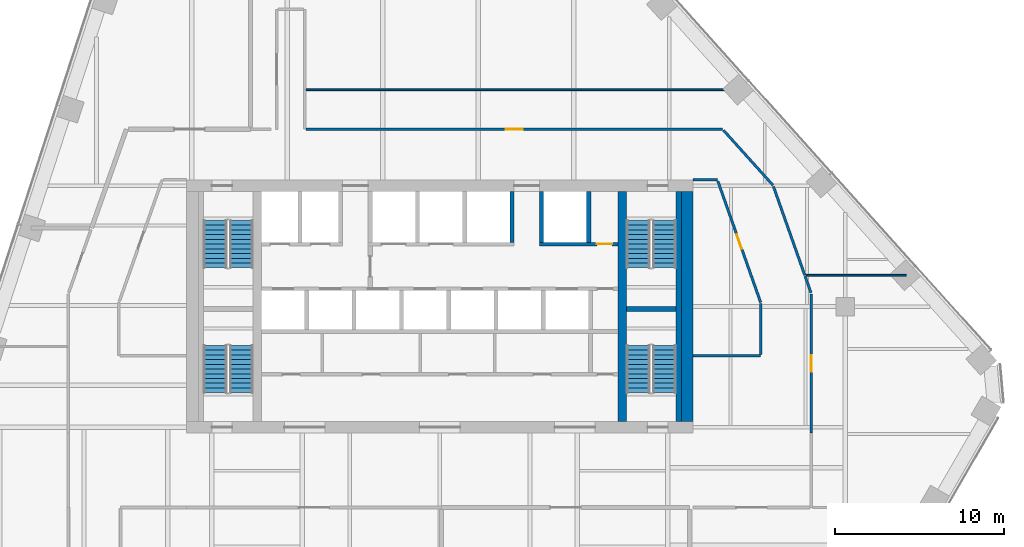
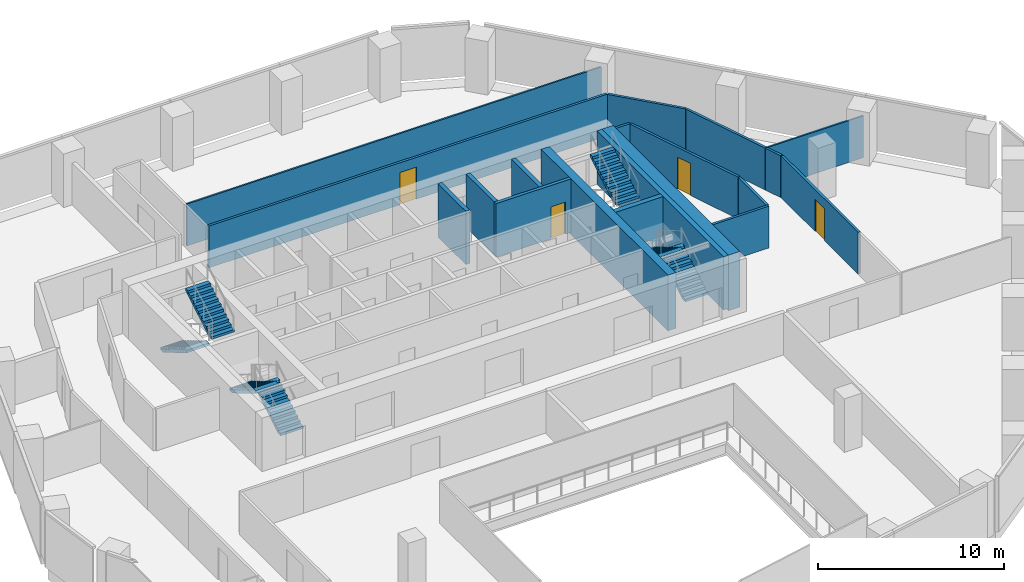
# One storey, part 13 of 16: 19 walls, 8 stair flights, 4 doors, 4 openings, 4 elements without a shape of their own.
"""IFC4 building model written with IfcOpenShell, lengths in metres."""

from ifc_helpers import new_model, si_unit, direction, frame, frame_2d, origin, place, context, subcontext, project, spatial, polyline, rectangle, outline, extrude, material, layer, layer_set, type_object, element, fill, aggregate, save


model = new_model("IFC4")

# Units and contexts
model_context = context("Model", 3, precision=1e-05, world=origin(), true_north=direction((0.0, 1.0)))
body_context = subcontext(model_context, "Body", "Model", "MODEL_VIEW")
ifc_project = project(units=[si_unit("LENGTHUNIT", "METRE"), si_unit("AREAUNIT", "SQUARE_METRE"), si_unit("VOLUMEUNIT", "CUBIC_METRE"), si_unit("PLANEANGLEUNIT", "RADIAN"), si_unit("MASSUNIT", "GRAM", prefix="KILO")], contexts=[model_context])

# Site, building, storey
site_placement = place(None, origin())
site = spatial("IfcSite", under=ifc_project, at=site_placement, CompositionType="ELEMENT")
building_placement = place(site_placement, origin())
building = spatial("IfcBuilding", under=site, at=building_placement, Name="Isthmus Gate Tower", CompositionType="ELEMENT")
storey_placement = place(building_placement, frame((0.0, 0.0, 185.39990234375)))
storey = spatial("IfcBuildingStorey", under=building, at=storey_placement, Name="L46", CompositionType="ELEMENT", Elevation=185.39990234375)

# Wall
ifc_material_1 = material(Name="Gypsum board on steel studs, fire-rated", Category="steel")
ifc_layer_1 = layer(ifc_material_1, 0.14990234375)
ifc_layer_set_1 = layer_set([ifc_layer_1], Name="CORRIDOR WALL 150 60 MIN")
wall_type_1 = type_object("IfcWallType", Name="CORRIDOR WALL 150 60 MIN", PredefinedType="PARTITIONING", material=ifc_layer_set_1)
wall_1_placement = place(storey_placement, frame((16.43896484375, 15.0, 0.0), z_axis=(0.0, 0.0, 1.0), x_axis=(-1.0, 0.0, 0.0)))
element("IfcWall", 1, at=wall_1_placement, inside=storey, type_object=wall_type_1, Name="L46 Corridor Wall 150 60 Min", PredefinedType="PARTITIONING", context=body_context, shape_type="SweptSolid", body=[
    extrude(rectangle(XDim=1.43896484375, YDim=0.14990234375, at=frame_2d((0.719482421875, 0.0))), origin(), (0.0, 0.0, 1.0), 2.7412109375),
])

# Wall, opening, door
wall_2_placement = place(storey_placement, frame((19.0, 7.742919921875, 0.0), z_axis=(0.0, 0.0, 1.0), x_axis=(-0.332768168026, 0.943008667165, 0.0)))
wall_2 = element("IfcWall", 2, at=wall_2_placement, inside=storey, type_object=wall_type_1, Name="L46 Corridor Wall 150 60 Min", PredefinedType="PARTITIONING", context=body_context, shape_type="SweptSolid", body=[
    extrude(rectangle(XDim=7.62060546875, YDim=0.14990234375, at=frame_2d((3.810302734375, 0.0))), origin(), (0.0, 0.0, 1.0), 2.7412109375),
])
opening_1_placement = place(wall_2_placement, frame((3.3603515625, 0.0, 0.0)))
opening_1 = element("IfcOpeningElement", 3, at=opening_1_placement, cuts=wall_2, Name="Opening DT-T4B-05", PredefinedType="OPENING", context=body_context, shape_type="SweptSolid", body=[
    extrude(rectangle(XDim=0.89990234375, YDim=2.10009765625, at=frame_2d((0.449951171875, 1.050048828125))), frame((0.0, 0.0849609375, 0.0), z_axis=(0.0, -1.0, 0.0), x_axis=(1.0, 0.0, 0.0)), (0.0, 0.0, 1.0), 0.169921875),
])
ifc_material_2 = material(Name="Solid core timber door leaf, fire-rated", Category="wood")
door_type_1 = type_object("IfcDoorType", Name="FIRE DOOR ROOM 900 X 2100 60 MIN", OperationType="SINGLE_SWING_LEFT", PredefinedType="DOOR", material=ifc_material_2)
door_1_placement = place(opening_1_placement, origin())
door_1 = element("IfcDoor", 4, at=door_1_placement, inside=storey, type_object=door_type_1, Name="L46 room door", OperationType="SINGLE_SWING_RIGHT", OverallHeight=2.10009765625, OverallWidth=0.89990234375, PredefinedType="DOOR", context=body_context, shape_type="SweptSolid", body=[
    extrude(rectangle(XDim=0.89990234375, YDim=2.10009765625, at=frame_2d((0.449951171875, 1.050048828125))), frame((0.0, 0.02490234375, 0.0), z_axis=(0.0, -1.0, 0.0), x_axis=(1.0, 0.0, 0.0)), (0.0, 0.0, 1.0), 0.050048828125),
])
fill(opening_1, door_1)

wall_3_placement = place(storey_placement, frame((22.0, 8.257080078125, 0.0), z_axis=(0.0, 0.0, 1.0), x_axis=(0.0, -1.0, 0.0)))
wall_3 = element("IfcWall", 5, at=wall_3_placement, inside=storey, type_object=wall_type_1, Name="L46 Corridor Wall 150 60 Min", PredefinedType="PARTITIONING", context=body_context, shape_type="SweptSolid", body=[
    extrude(rectangle(XDim=8.257080078125, YDim=0.14990234375, at=frame_2d((4.12841796875, 0.0))), origin(), (0.0, 0.0, 1.0), 2.7412109375),
])
opening_2_placement = place(wall_3_placement, frame((3.62841796875, 0.0, 0.0)))
opening_2 = element("IfcOpeningElement", 6, at=opening_2_placement, cuts=wall_3, Name="Opening DT-T4B-08", PredefinedType="OPENING", context=body_context, shape_type="SweptSolid", body=[
    extrude(rectangle(XDim=1.0, YDim=2.10009765625, at=frame_2d((0.5, 1.050048828125))), frame((0.0, 0.0849609375, 0.0), z_axis=(0.0, -1.0, 0.0), x_axis=(1.0, 0.0, 0.0)), (0.0, 0.0, 1.0), 0.169921875),
])
ifc_material_3 = material(Name="Solid core timber door leaf, fire-rated", Category="wood")
door_type_2 = type_object("IfcDoorType", Name="FIRE DOOR ROOM 1000 X 2100 60 MIN", OperationType="SINGLE_SWING_LEFT", PredefinedType="DOOR", material=ifc_material_3)
door_2_placement = place(opening_2_placement, origin())
door_2 = element("IfcDoor", 7, at=door_2_placement, inside=storey, type_object=door_type_2, Name="L46 room door", OperationType="SINGLE_SWING_RIGHT", OverallHeight=2.10009765625, OverallWidth=1.0, PredefinedType="DOOR", context=body_context, shape_type="SweptSolid", body=[
    extrude(rectangle(XDim=1.0, YDim=2.10009765625, at=frame_2d((0.5, 1.050048828125))), frame((0.0, 0.02490234375, 0.0), z_axis=(0.0, -1.0, 0.0), x_axis=(1.0, 0.0, 0.0)), (0.0, 0.0, 1.0), 0.050048828125),
])
fill(opening_2, door_2)

wall_4_placement = place(storey_placement, frame((-7.925048828125, 18.0, 0.0), z_axis=(0.0, 0.0, 1.0), x_axis=(1.0, 0.0, 0.0)))
wall_4 = element("IfcWall", 8, at=wall_4_placement, inside=storey, type_object=wall_type_1, Name="L46 Corridor Wall 150 60 Min", PredefinedType="PARTITIONING", context=body_context, shape_type="SweptSolid", body=[
    extrude(rectangle(XDim=24.670166015625, YDim=0.14990234375, at=frame_2d((12.3349609375, 0.0))), origin(), (0.0, 0.0, 1.0), 2.7412109375),
])
opening_3_placement = place(wall_4_placement, frame((11.8349609375, 0.0, 0.0)))
opening_3 = element("IfcOpeningElement", 9, at=opening_3_placement, cuts=wall_4, Name="Opening DT-T4B-03", PredefinedType="OPENING", context=body_context, shape_type="SweptSolid", body=[
    extrude(rectangle(XDim=1.0, YDim=2.10009765625, at=frame_2d((0.5, 1.050048828125))), frame((0.0, 0.0849609375, 0.0), z_axis=(0.0, -1.0, 0.0), x_axis=(1.0, 0.0, 0.0)), (0.0, 0.0, 1.0), 0.169921875),
])
door_3_placement = place(opening_3_placement, origin())
door_3 = element("IfcDoor", 10, at=door_3_placement, inside=storey, type_object=door_type_2, Name="L46 room door", OperationType="SINGLE_SWING_RIGHT", OverallHeight=2.10009765625, OverallWidth=1.0, PredefinedType="DOOR", context=body_context, shape_type="SweptSolid", body=[
    extrude(rectangle(XDim=1.0, YDim=2.10009765625, at=frame_2d((0.5, 1.050048828125))), frame((0.0, 0.02490234375, 0.0), z_axis=(0.0, -1.0, 0.0), x_axis=(1.0, 0.0, 0.0)), (0.0, 0.0, 1.0), 0.050048828125),
])
fill(opening_3, door_3)

# Walls
wall_5_placement = place(storey_placement, frame((16.795166015625, 17.9443359375, 0.0), z_axis=(0.0, 0.0, 1.0), x_axis=(0.66903540409, -0.743230534945, 0.0)))
element("IfcWall", 11, at=wall_5_placement, inside=storey, type_object=wall_type_1, Name="L46 Corridor Wall 150 60 Min", PredefinedType="PARTITIONING", context=body_context, shape_type="SweptSolid", body=[
    extrude(rectangle(XDim=4.3896484375, YDim=0.14990234375, at=frame_2d((2.19482421875, 0.0))), origin(), (0.0, 0.0, 1.0), 2.7412109375),
])
wall_6_placement = place(storey_placement, frame((19.757080078125, 14.611328125, 0.0), z_axis=(0.0, 0.0, 1.0), x_axis=(0.332898037941, -0.942962828713, 0.0)))
element("IfcWall", 12, at=wall_6_placement, inside=storey, type_object=wall_type_1, Name="L46 Corridor Wall 150 60 Min", PredefinedType="PARTITIONING", context=body_context, shape_type="SweptSolid", body=[
    extrude(rectangle(XDim=5.572265625, YDim=0.14990234375, at=frame_2d((2.7861328125, 0.0))), origin(), (0.0, 0.0, 1.0), 2.7412109375),
])
wall_7_placement = place(storey_placement, frame((15.0, 4.60009765625, 0.0), z_axis=(0.0, 0.0, 1.0), x_axis=(1.0, 0.0, 0.0)))
element("IfcWall", 13, at=wall_7_placement, inside=storey, type_object=wall_type_1, Name="L46 Corridor Wall 150 60 Min", PredefinedType="PARTITIONING", context=body_context, shape_type="SweptSolid", body=[
    extrude(rectangle(XDim=4.0, YDim=0.14990234375, at=frame_2d((2.0, 0.0))), origin(), (0.0, 0.0, 1.0), 2.7412109375),
])
wall_8_placement = place(storey_placement, frame((19.0, 4.675048828125, 0.0), z_axis=(0.0, 0.0, 1.0), x_axis=(0.0, 1.0, 0.0)))
element("IfcWall", 14, at=wall_8_placement, inside=storey, type_object=wall_type_1, Name="L46 Corridor Wall 150 60 Min", PredefinedType="PARTITIONING", context=body_context, shape_type="SweptSolid", body=[
    extrude(rectangle(XDim=2.992919921875, YDim=0.14990234375, at=frame_2d((1.49658203125, 0.0))), origin(), (0.0, 0.0, 1.0), 2.7412109375),
])
wall_9_placement = place(storey_placement, frame((21.628662109375, 9.309814453125, 0.0), z_axis=(0.0, 0.0, 1.0), x_axis=(0.33263618507, -0.943055230823, 0.0)))
element("IfcWall", 15, at=wall_9_placement, inside=storey, type_object=wall_type_1, Name="L46 Corridor Wall 150 60 Min", PredefinedType="PARTITIONING", context=body_context, shape_type="SweptSolid", body=[
    extrude(rectangle(XDim=1.04150390625, YDim=0.14990234375, at=frame_2d((0.520751953125, 0.0))), origin(), (0.0, 0.0, 1.0), 2.7412109375),
])
ifc_material_4 = material(Name="Concrete f'c 60 MPa", Category="concrete")
ifc_layer_2 = layer(ifc_material_4, 0.5)
ifc_layer_set_2 = layer_set([ifc_layer_2], Name="RC CORE SPINE WALL 500 F'C 60")
wall_type_2 = type_object("IfcWallType", Name="RC CORE SPINE WALL 500 F'C 60", PredefinedType="SOLIDWALL", material=ifc_layer_set_2)
wall_10_placement = place(storey_placement, frame((10.800048828125, 0.699951171875, -0.14990234375), z_axis=(0.0, 0.0, 1.0), x_axis=(0.0, 1.0, 0.0)))
element("IfcWall", 16, at=wall_10_placement, inside=storey, type_object=wall_type_2, Name="str-corewall-L46-SPE", PredefinedType="SOLIDWALL", context=body_context, shape_type="SweptSolid", body=[
    extrude(rectangle(XDim=13.60009765625, YDim=0.5, at=frame_2d((6.800048828125, 0.0))), origin(), (0.0, 0.0, 1.0), 3.64990234375),
])
ifc_material_5 = material(Name="Concrete f'c 60 MPa", Category="concrete")
ifc_layer_3 = layer(ifc_material_5, 0.699951171875)
ifc_layer_set_3 = layer_set([ifc_layer_3], Name="RC CORE WALL 700 F'C 60")
wall_type_3 = type_object("IfcWallType", Name="RC CORE WALL 700 F'C 60", PredefinedType="SOLIDWALL", material=ifc_layer_set_3)
wall_11_placement = place(storey_placement, frame((14.64990234375, 0.699951171875, -0.14990234375), z_axis=(0.0, 0.0, 1.0), x_axis=(0.0, 1.0, 0.0)))
element("IfcWall", 17, at=wall_11_placement, inside=storey, type_object=wall_type_3, Name="str-corewall-L46-E", PredefinedType="SOLIDWALL", context=body_context, shape_type="SweptSolid", body=[
    extrude(rectangle(XDim=13.60009765625, YDim=0.699951171875, at=frame_2d((6.800048828125, 0.0))), origin(), (0.0, 0.0, 1.0), 3.64990234375),
])
ifc_material_6 = material(Name="Gypsum board on steel studs, fire-rated", Category="steel")
ifc_layer_4 = layer(ifc_material_6, 0.10009765625)
ifc_layer_set_4 = layer_set([ifc_layer_4], Name="ROOM PARTITION 100 30 MIN")
wall_type_4 = type_object("IfcWallType", Name="ROOM PARTITION 100 30 MIN", PredefinedType="PARTITIONING", material=ifc_layer_set_4)
wall_12_placement = place(storey_placement, frame((-7.925048828125, 20.341064453125, 0.0), z_axis=(0.0, 0.0, 1.0), x_axis=(1.0, 0.0, 0.0)))
element("IfcWall", 18, at=wall_12_placement, inside=storey, type_object=wall_type_4, Name="L46 Room Partition 100 30 Min", PredefinedType="PARTITIONING", context=body_context, shape_type="SweptSolid", body=[
    extrude(rectangle(XDim=25.656005859375, YDim=0.10009765625, at=frame_2d((12.828125, 0.0))), origin(), (0.0, 0.0, 1.0), 2.7412109375),
])
wall_13_placement = place(storey_placement, frame((21.68701171875, 9.35693359375, 0.0), z_axis=(0.0, 0.0, 1.0), x_axis=(1.0, 0.0, 0.0)))
element("IfcWall", 19, at=wall_13_placement, inside=storey, type_object=wall_type_4, Name="L46 Room Partition 100 30 Min", PredefinedType="PARTITIONING", context=body_context, shape_type="SweptSolid", body=[
    extrude(rectangle(XDim=5.93505859375, YDim=0.10009765625, at=frame_2d((2.967529296875, 0.0))), origin(), (0.0, 0.0, 1.0), 2.7412109375),
])

# Wall, opening, door
ifc_material_7 = material(Name="Fire-rated blockwork masonry, 15 MPa", Category="masonry")
ifc_layer_5 = layer(ifc_material_7, 0.199951171875)
ifc_layer_set_5 = layer_set([ifc_layer_5], Name="SHAFT FRONT WALL 200 120 MIN")
wall_type_5 = type_object("IfcWallType", Name="SHAFT FRONT WALL 200 120 MIN", PredefinedType="PARTITIONING", material=ifc_layer_set_5)
wall_14_placement = place(storey_placement, frame((5.89990234375, 11.199951171875, 0.0), z_axis=(0.0, 0.0, 1.0), x_axis=(1.0, 0.0, 0.0)))
wall_14 = element("IfcWall", 20, at=wall_14_placement, inside=storey, type_object=wall_type_5, Name="L46 SHAFT FRONT WALL 200 120 MIN", PredefinedType="PARTITIONING", context=body_context, shape_type="SweptSolid", body=[
    extrude(rectangle(XDim=4.650146484375, YDim=0.199951171875, at=frame_2d((2.3251953125, 0.0))), origin(), (0.0, 0.0, 1.0), 3.5),
])
opening_4_placement = place(wall_14_placement, frame((3.39990234375, 0.0, 0.0)))
opening_4 = element("IfcOpeningElement", 21, at=opening_4_placement, cuts=wall_14, Name="Opening DC-A13-08", PredefinedType="OPENING", context=body_context, shape_type="SweptSolid", body=[
    extrude(rectangle(XDim=0.89990234375, YDim=2.10009765625, at=frame_2d((0.449951171875, 1.050048828125))), frame((0.0, 0.10986328125, 0.0), z_axis=(0.0, -1.0, 0.0), x_axis=(1.0, 0.0, 0.0)), (0.0, 0.0, 1.0), 0.219970703125),
])
ifc_material_8 = material(Name="Steel door leaf, fire-rated", Category="steel")
door_type_3 = type_object("IfcDoorType", Name="RISER FIRE DOOR 900 X 2100 90 MIN", OperationType="SINGLE_SWING_LEFT", PredefinedType="DOOR", material=ifc_material_8)
door_4_placement = place(opening_4_placement, origin())
door_4 = element("IfcDoor", 22, at=door_4_placement, inside=storey, type_object=door_type_3, Name="Riser Door", OperationType="SINGLE_SWING_LEFT", OverallHeight=2.10009765625, OverallWidth=0.89990234375, PredefinedType="DOOR", context=body_context, shape_type="SweptSolid", body=[
    extrude(rectangle(XDim=0.89990234375, YDim=2.10009765625, at=frame_2d((0.449951171875, 1.050048828125))), frame((0.0, 0.02490234375, 0.0), z_axis=(0.0, -1.0, 0.0), x_axis=(1.0, 0.0, 0.0)), (0.0, 0.0, 1.0), 0.050048828125),
])
fill(opening_4, door_4)

# Walls
ifc_material_9 = material(Name="Fire-rated blockwork masonry, 15 MPa", Category="masonry")
ifc_layer_6 = layer(ifc_material_9, 0.25)
ifc_layer_set_6 = layer_set([ifc_layer_6], Name="SHAFT WALL 250 120 MIN")
wall_type_6 = type_object("IfcWallType", Name="SHAFT WALL 250 120 MIN", PredefinedType="PARTITIONING", material=ifc_layer_set_6)
for number, where, z_axis, x_axis, name in (
    (23, (4.27490234375, 11.300048828125, 0.0), (0.0, 0.0, 1.0), (0.0, 1.0, 0.0), "L46 SHAFT WALL 250 120 MIN"),
    (24, (6.02490234375, 11.300048828125, 0.0), (0.0, 0.0, 1.0), (0.0, 1.0, 0.0), "L46 SHAFT WALL 250 120 MIN"),
    (25, (8.824951171875, 11.300048828125, 0.0), (0.0, 0.0, 1.0), (0.0, 1.0, 0.0), "L46 SHAFT WALL 250 120 MIN"),
):
    element("IfcWall", number, at=place(storey_placement, frame(where, z_axis=z_axis, x_axis=x_axis)), inside=storey, type_object=wall_type_6, Name=name, PredefinedType="PARTITIONING", context=body_context, shape_type="SweptSolid", body=[
        extrude(rectangle(XDim=3.0, YDim=0.25, at=frame_2d((1.5, 0.0))), origin(), (0.0, 0.0, 1.0), 3.5),
    ])
ifc_material_10 = material(Name="Concrete f'c 40 MPa", Category="concrete")
ifc_layer_7 = layer(ifc_material_10, 0.300048828125)
ifc_layer_set_7 = layer_set([ifc_layer_7], Name="STAIR ENCLOSURE WALL 300 180 MIN")
wall_type_7 = type_object("IfcWallType", Name="STAIR ENCLOSURE WALL 300 180 MIN", PredefinedType="SOLIDWALL", material=ifc_layer_set_7)
wall_15_placement = place(storey_placement, frame((11.050048828125, 7.35009765625, 0.0), z_axis=(0.0, 0.0, 1.0), x_axis=(1.0, 0.0, 0.0)))
element("IfcWall", 26, at=wall_15_placement, inside=storey, type_object=wall_type_7, Name="L46 STAIR ENCLOSURE WALL 300 180 MIN", PredefinedType="SOLIDWALL", context=body_context, shape_type="SweptSolid", body=[
    extrude(rectangle(XDim=2.949951171875, YDim=0.300048828125, at=frame_2d((1.47509765625, 0.0))), origin(), (0.0, 0.0, 1.0), 3.5),
])
wall_16_placement = place(storey_placement, frame((14.14990234375, 0.699951171875, 0.0), z_axis=(0.0, 0.0, 1.0), x_axis=(0.0, 1.0, 0.0)))
element("IfcWall", 27, at=wall_16_placement, inside=storey, type_object=wall_type_7, Name="L46 STAIR ENCLOSURE WALL 300 180 MIN", PredefinedType="SOLIDWALL", context=body_context, shape_type="SweptSolid", body=[
    extrude(rectangle(XDim=13.60009765625, YDim=0.300048828125, at=frame_2d((6.800048828125, 0.0))), origin(), (0.0, 0.0, 1.0), 3.5),
])

# Stair, stair flights
ifc_material_11 = material(Name="Concrete f'c 40 MPa", Category="concrete")
stair_type = type_object("IfcStairType", Name="CORE STAIR 22 RISERS", PredefinedType="HALF_TURN_STAIR", material=ifc_material_11)
stair_1_placement = place(storey_placement, origin())
stair_1 = element("IfcStair", 28, at=stair_1_placement, inside=storey, type_object=stair_type, Name="L46 Exit Stair 1", PredefinedType="HALF_TURN_STAIR")
ifc_material_12 = material(Name="Concrete f'c 40 MPa", Category="concrete")
stair_flight_type = type_object("IfcStairFlightType", Name="STAIR FLIGHT RC 1400", PredefinedType="STRAIGHT", material=ifc_material_12)
stair_flight_1_placement = place(storey_placement, frame((-13.300048828125, 12.60009765625, 0.0), z_axis=(0.0, 0.0, 1.0), x_axis=(0.0, -1.0, 0.0)))
stair_flight_1 = element("IfcStairFlight", 29, at=stair_flight_1_placement, type_object=stair_flight_type, Name="ST1 flight 1", NumberOfRisers=11, NumberOfTreads=10, PredefinedType="STRAIGHT", RiserHeight=0.165909091, TreadLength=0.28, context=body_context, shape_type="SweptSolid", body=[
    extrude(outline(polyline([(0.0, 0.0), (0.0, 0.166015625), (0.280029296875, 0.166015625), (0.280029296875, 0.331787109375), (0.56005859375, 0.331787109375), (0.56005859375, 0.497802734375), (0.840087890625, 0.497802734375), (0.840087890625, 0.66357421875), (1.1201171875, 0.66357421875), (1.1201171875, 0.82958984375), (1.39990234375, 0.82958984375), (1.39990234375, 0.995361328125), (1.679931640625, 0.995361328125), (1.679931640625, 1.161376953125), (1.9599609375, 1.161376953125), (1.9599609375, 1.327392578125), (2.239990234375, 1.327392578125), (2.239990234375, 1.4931640625), (2.52001953125, 1.4931640625), (2.52001953125, 1.6591796875), (2.800048828125, 1.6591796875), (2.800048828125, 1.824951171875), (2.800048828125, 1.48486328125), (0.2939453125, 0.0), (0.0, 0.0)])), frame((0.0, 0.699951171875, 0.0), z_axis=(0.0, -1.0, 0.0), x_axis=(1.0, 0.0, 0.0)), (0.0, 0.0, 1.0), 1.39990234375),
])
stair_flight_2_placement = place(storey_placement, frame((-11.75, 9.800048828125, 1.8251953125), z_axis=(0.0, 0.0, 1.0), x_axis=(0.0, 1.0, 0.0)))
stair_flight_2 = element("IfcStairFlight", 30, at=stair_flight_2_placement, type_object=stair_flight_type, Name="ST1 flight 2", NumberOfRisers=11, NumberOfTreads=10, PredefinedType="STRAIGHT", RiserHeight=0.165909091, TreadLength=0.28, context=body_context, shape_type="SweptSolid", body=[
    extrude(outline(polyline([(0.0, 0.0), (0.0, 0.166015625), (0.280029296875, 0.166015625), (0.280029296875, 0.331787109375), (0.56005859375, 0.331787109375), (0.56005859375, 0.497802734375), (0.840087890625, 0.497802734375), (0.840087890625, 0.66357421875), (1.1201171875, 0.66357421875), (1.1201171875, 0.82958984375), (1.39990234375, 0.82958984375), (1.39990234375, 0.995361328125), (1.679931640625, 0.995361328125), (1.679931640625, 1.161376953125), (1.9599609375, 1.161376953125), (1.9599609375, 1.327392578125), (2.239990234375, 1.327392578125), (2.239990234375, 1.4931640625), (2.52001953125, 1.4931640625), (2.52001953125, 1.6591796875), (2.800048828125, 1.6591796875), (2.800048828125, 1.824951171875), (2.800048828125, 1.48486328125), (0.2939453125, 0.0), (0.0, 0.0)])), frame((0.0, 0.699951171875, 0.0), z_axis=(0.0, -1.0, 0.0), x_axis=(1.0, 0.0, 0.0)), (0.0, 0.0, 1.0), 1.39990234375),
])
aggregate(stair_1, [stair_flight_1, stair_flight_2])

stair_2_placement = place(storey_placement, origin())
stair_2 = element("IfcStair", 31, at=stair_2_placement, inside=storey, type_object=stair_type, Name="L46 Exit Stair 2", PredefinedType="HALF_TURN_STAIR")
stair_flight_3_placement = place(storey_placement, frame((11.75, 12.60009765625, 0.0), z_axis=(0.0, 0.0, 1.0), x_axis=(0.0, -1.0, 0.0)))
stair_flight_3 = element("IfcStairFlight", 32, at=stair_flight_3_placement, type_object=stair_flight_type, Name="ST2 flight 1", NumberOfRisers=11, NumberOfTreads=10, PredefinedType="STRAIGHT", RiserHeight=0.165909091, TreadLength=0.28, context=body_context, shape_type="SweptSolid", body=[
    extrude(outline(polyline([(0.0, 0.0), (0.0, 0.166015625), (0.280029296875, 0.166015625), (0.280029296875, 0.331787109375), (0.56005859375, 0.331787109375), (0.56005859375, 0.497802734375), (0.840087890625, 0.497802734375), (0.840087890625, 0.66357421875), (1.1201171875, 0.66357421875), (1.1201171875, 0.82958984375), (1.39990234375, 0.82958984375), (1.39990234375, 0.995361328125), (1.679931640625, 0.995361328125), (1.679931640625, 1.161376953125), (1.9599609375, 1.161376953125), (1.9599609375, 1.327392578125), (2.239990234375, 1.327392578125), (2.239990234375, 1.4931640625), (2.52001953125, 1.4931640625), (2.52001953125, 1.6591796875), (2.800048828125, 1.6591796875), (2.800048828125, 1.824951171875), (2.800048828125, 1.48486328125), (0.2939453125, 0.0), (0.0, 0.0)])), frame((0.0, 0.699951171875, 0.0), z_axis=(0.0, -1.0, 0.0), x_axis=(1.0, 0.0, 0.0)), (0.0, 0.0, 1.0), 1.39990234375),
])
stair_flight_4_placement = place(storey_placement, frame((13.300048828125, 9.800048828125, 1.8251953125), z_axis=(0.0, 0.0, 1.0), x_axis=(0.0, 1.0, 0.0)))
stair_flight_4 = element("IfcStairFlight", 33, at=stair_flight_4_placement, type_object=stair_flight_type, Name="ST2 flight 2", NumberOfRisers=11, NumberOfTreads=10, PredefinedType="STRAIGHT", RiserHeight=0.165909091, TreadLength=0.28, context=body_context, shape_type="SweptSolid", body=[
    extrude(outline(polyline([(0.0, 0.0), (0.0, 0.166015625), (0.280029296875, 0.166015625), (0.280029296875, 0.331787109375), (0.56005859375, 0.331787109375), (0.56005859375, 0.497802734375), (0.840087890625, 0.497802734375), (0.840087890625, 0.66357421875), (1.1201171875, 0.66357421875), (1.1201171875, 0.82958984375), (1.39990234375, 0.82958984375), (1.39990234375, 0.995361328125), (1.679931640625, 0.995361328125), (1.679931640625, 1.161376953125), (1.9599609375, 1.161376953125), (1.9599609375, 1.327392578125), (2.239990234375, 1.327392578125), (2.239990234375, 1.4931640625), (2.52001953125, 1.4931640625), (2.52001953125, 1.6591796875), (2.800048828125, 1.6591796875), (2.800048828125, 1.824951171875), (2.800048828125, 1.48486328125), (0.2939453125, 0.0), (0.0, 0.0)])), frame((0.0, 0.699951171875, 0.0), z_axis=(0.0, -1.0, 0.0), x_axis=(1.0, 0.0, 0.0)), (0.0, 0.0, 1.0), 1.39990234375),
])
aggregate(stair_2, [stair_flight_3, stair_flight_4])

stair_3_placement = place(storey_placement, origin())
stair_3 = element("IfcStair", 34, at=stair_3_placement, inside=storey, type_object=stair_type, Name="L46 Exit Stair 7", PredefinedType="HALF_TURN_STAIR")
stair_flight_5_placement = place(storey_placement, frame((-11.75, 2.39990234375, 0.0), z_axis=(0.0, 0.0, 1.0), x_axis=(0.0, 1.0, 0.0)))
stair_flight_5 = element("IfcStairFlight", 35, at=stair_flight_5_placement, type_object=stair_flight_type, Name="ST7 flight 1", NumberOfRisers=11, NumberOfTreads=10, PredefinedType="STRAIGHT", RiserHeight=0.165909091, TreadLength=0.28, context=body_context, shape_type="SweptSolid", body=[
    extrude(outline(polyline([(0.0, 0.0), (0.0, 0.166015625), (0.280029296875, 0.166015625), (0.280029296875, 0.331787109375), (0.56005859375, 0.331787109375), (0.56005859375, 0.497802734375), (0.840087890625, 0.497802734375), (0.840087890625, 0.66357421875), (1.1201171875, 0.66357421875), (1.1201171875, 0.82958984375), (1.39990234375, 0.82958984375), (1.39990234375, 0.995361328125), (1.679931640625, 0.995361328125), (1.679931640625, 1.161376953125), (1.9599609375, 1.161376953125), (1.9599609375, 1.327392578125), (2.239990234375, 1.327392578125), (2.239990234375, 1.4931640625), (2.52001953125, 1.4931640625), (2.52001953125, 1.6591796875), (2.800048828125, 1.6591796875), (2.800048828125, 1.824951171875), (2.800048828125, 1.48486328125), (0.2939453125, 0.0), (0.0, 0.0)])), frame((0.0, 0.699951171875, 0.0), z_axis=(0.0, -1.0, 0.0), x_axis=(1.0, 0.0, 0.0)), (0.0, 0.0, 1.0), 1.39990234375),
])
stair_flight_6_placement = place(storey_placement, frame((-13.300048828125, 5.199951171875, 1.8251953125), z_axis=(0.0, 0.0, 1.0), x_axis=(0.0, -1.0, 0.0)))
stair_flight_6 = element("IfcStairFlight", 36, at=stair_flight_6_placement, type_object=stair_flight_type, Name="ST7 flight 2", NumberOfRisers=11, NumberOfTreads=10, PredefinedType="STRAIGHT", RiserHeight=0.165909091, TreadLength=0.28, context=body_context, shape_type="SweptSolid", body=[
    extrude(outline(polyline([(0.0, 0.0), (0.0, 0.166015625), (0.280029296875, 0.166015625), (0.280029296875, 0.331787109375), (0.56005859375, 0.331787109375), (0.56005859375, 0.497802734375), (0.840087890625, 0.497802734375), (0.840087890625, 0.66357421875), (1.1201171875, 0.66357421875), (1.1201171875, 0.82958984375), (1.39990234375, 0.82958984375), (1.39990234375, 0.995361328125), (1.679931640625, 0.995361328125), (1.679931640625, 1.161376953125), (1.9599609375, 1.161376953125), (1.9599609375, 1.327392578125), (2.239990234375, 1.327392578125), (2.239990234375, 1.4931640625), (2.52001953125, 1.4931640625), (2.52001953125, 1.6591796875), (2.800048828125, 1.6591796875), (2.800048828125, 1.824951171875), (2.800048828125, 1.48486328125), (0.2939453125, 0.0), (0.0, 0.0)])), frame((0.0, 0.699951171875, 0.0), z_axis=(0.0, -1.0, 0.0), x_axis=(1.0, 0.0, 0.0)), (0.0, 0.0, 1.0), 1.39990234375),
])
aggregate(stair_3, [stair_flight_5, stair_flight_6])

stair_4_placement = place(storey_placement, origin())
stair_4 = element("IfcStair", 37, at=stair_4_placement, inside=storey, type_object=stair_type, Name="L46 Exit Stair 8", PredefinedType="HALF_TURN_STAIR")
stair_flight_7_placement = place(storey_placement, frame((13.300048828125, 2.39990234375, 0.0), z_axis=(0.0, 0.0, 1.0), x_axis=(0.0, 1.0, 0.0)))
stair_flight_7 = element("IfcStairFlight", 38, at=stair_flight_7_placement, type_object=stair_flight_type, Name="ST8 flight 1", NumberOfRisers=11, NumberOfTreads=10, PredefinedType="STRAIGHT", RiserHeight=0.165909091, TreadLength=0.28, context=body_context, shape_type="SweptSolid", body=[
    extrude(outline(polyline([(0.0, 0.0), (0.0, 0.166015625), (0.280029296875, 0.166015625), (0.280029296875, 0.331787109375), (0.56005859375, 0.331787109375), (0.56005859375, 0.497802734375), (0.840087890625, 0.497802734375), (0.840087890625, 0.66357421875), (1.1201171875, 0.66357421875), (1.1201171875, 0.82958984375), (1.39990234375, 0.82958984375), (1.39990234375, 0.995361328125), (1.679931640625, 0.995361328125), (1.679931640625, 1.161376953125), (1.9599609375, 1.161376953125), (1.9599609375, 1.327392578125), (2.239990234375, 1.327392578125), (2.239990234375, 1.4931640625), (2.52001953125, 1.4931640625), (2.52001953125, 1.6591796875), (2.800048828125, 1.6591796875), (2.800048828125, 1.824951171875), (2.800048828125, 1.48486328125), (0.2939453125, 0.0), (0.0, 0.0)])), frame((0.0, 0.699951171875, 0.0), z_axis=(0.0, -1.0, 0.0), x_axis=(1.0, 0.0, 0.0)), (0.0, 0.0, 1.0), 1.39990234375),
])
stair_flight_8_placement = place(storey_placement, frame((11.75, 5.199951171875, 1.8251953125), z_axis=(0.0, 0.0, 1.0), x_axis=(0.0, -1.0, 0.0)))
stair_flight_8 = element("IfcStairFlight", 39, at=stair_flight_8_placement, type_object=stair_flight_type, Name="ST8 flight 2", NumberOfRisers=11, NumberOfTreads=10, PredefinedType="STRAIGHT", RiserHeight=0.165909091, TreadLength=0.28, context=body_context, shape_type="SweptSolid", body=[
    extrude(outline(polyline([(0.0, 0.0), (0.0, 0.166015625), (0.280029296875, 0.166015625), (0.280029296875, 0.331787109375), (0.56005859375, 0.331787109375), (0.56005859375, 0.497802734375), (0.840087890625, 0.497802734375), (0.840087890625, 0.66357421875), (1.1201171875, 0.66357421875), (1.1201171875, 0.82958984375), (1.39990234375, 0.82958984375), (1.39990234375, 0.995361328125), (1.679931640625, 0.995361328125), (1.679931640625, 1.161376953125), (1.9599609375, 1.161376953125), (1.9599609375, 1.327392578125), (2.239990234375, 1.327392578125), (2.239990234375, 1.4931640625), (2.52001953125, 1.4931640625), (2.52001953125, 1.6591796875), (2.800048828125, 1.6591796875), (2.800048828125, 1.824951171875), (2.800048828125, 1.48486328125), (0.2939453125, 0.0), (0.0, 0.0)])), frame((0.0, 0.699951171875, 0.0), z_axis=(0.0, -1.0, 0.0), x_axis=(1.0, 0.0, 0.0)), (0.0, 0.0, 1.0), 1.39990234375),
])
aggregate(stair_4, [stair_flight_7, stair_flight_8])

save(model, "model.ifc")
